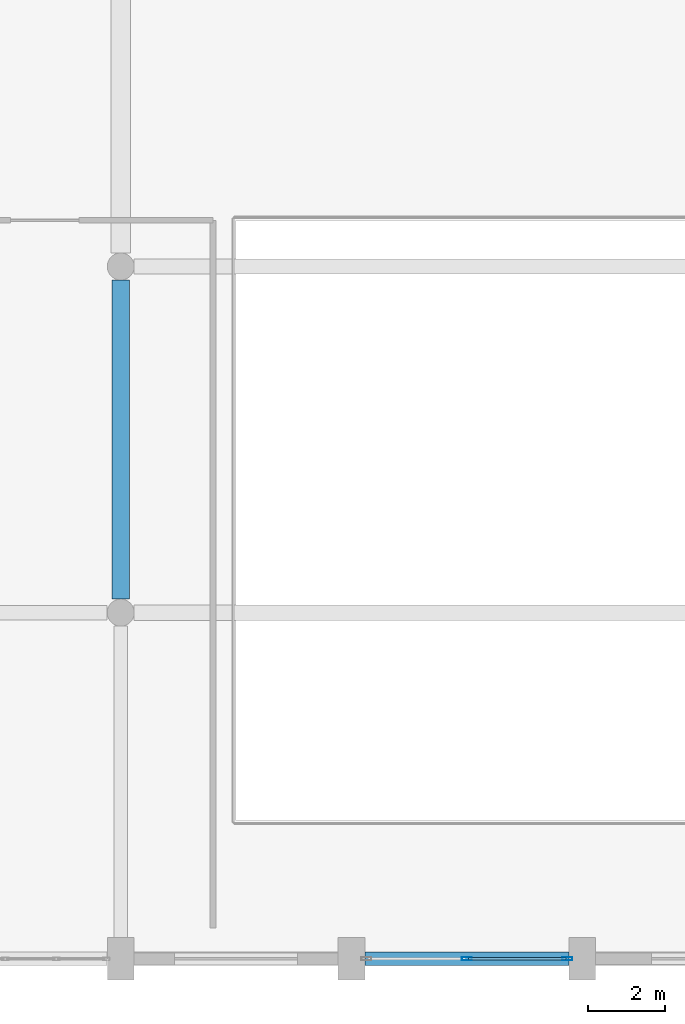
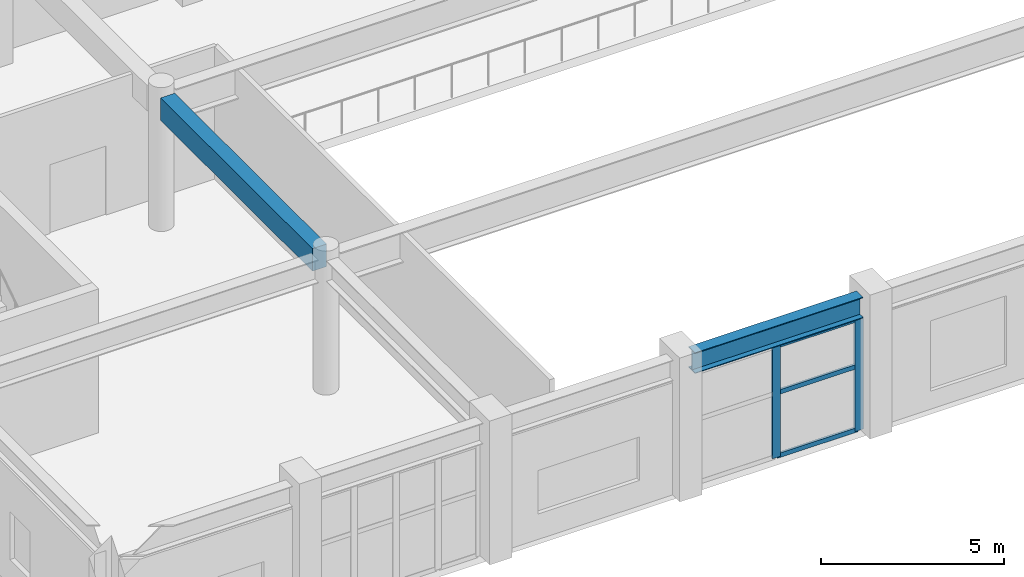
# One storey, part 17 of 85: 5 members, 2 beams, 1 element without a shape of its own.
"""IFC4 building model written with IfcOpenShell, lengths in metres."""

from ifc_helpers import new_model, si_unit, direction, frame, origin, origin_2d, place, context, subcontext, project, spatial, rectangle, hollow_rectangle, i_section, extrude, material, layer, layer_set, material_profile, profile_set, type_object, element, aggregate, save


model = new_model("IFC4")

# Units and contexts
model_context = context("Model", 3, precision=1e-05, world=origin(), true_north=direction((0.0, 1.0)))
body_context = subcontext(model_context, "Body", "Model", "MODEL_VIEW")
ifc_project = project(units=[si_unit("LENGTHUNIT", "METRE"), si_unit("AREAUNIT", "SQUARE_METRE"), si_unit("VOLUMEUNIT", "CUBIC_METRE"), si_unit("PLANEANGLEUNIT", "RADIAN"), si_unit("MASSUNIT", "GRAM", prefix="KILO")], contexts=[model_context])

# Site, building, storey
site_placement = place(None, origin())
site = spatial("IfcSite", under=ifc_project, at=site_placement, CompositionType="ELEMENT")
building_placement = place(site_placement, origin())
building = spatial("IfcBuilding", under=site, at=building_placement, Name="Vaelkrest Opera House", CompositionType="ELEMENT")
storey_placement = place(building_placement, frame((0.0, 0.0, 10.199951171875)))
storey = spatial("IfcBuildingStorey", under=building, at=storey_placement, Name="L02", CompositionType="ELEMENT", Elevation=10.199951171875)

# Beam
ifc_material_1 = material(Name="Concrete C50/60", Category="concrete")
ifc_material_profile_1 = material_profile(ifc_material_1, rectangle(XDim=0.449951171875, YDim=0.75, at=origin_2d()), Name="RCB450X750")
ifc_profile_set_1 = profile_set([ifc_material_profile_1], Name="Concrete C50/60")
beam_type_1 = type_object("IfcBeamType", Name="B02", PredefinedType="BEAM", material=ifc_profile_set_1)
beam_1_placement = place(storey_placement, frame((-18.0, -46.449951171875, 4.130126953125), z_axis=(0.0, 1.0, 0.0), x_axis=(-1.0, 0.0, 0.0)))
element("IfcBeam", 1, at=beam_1_placement, inside=storey, type_object=beam_type_1, Name="Beam BM-V1-L02-0379", PredefinedType="BEAM", context=body_context, shape_type="SweptSolid", body=[
    extrude(rectangle(XDim=0.449951171875, YDim=0.75, at=origin_2d()), origin(), (0.0, 0.0, 1.0), 8.300048828125),
])

# Curtain wall, members
ifc_material_2 = material(Name="Dark bronze anodized aluminium", Category="aluminium")
ifc_layer = layer(ifc_material_2, 0.25)
ifc_layer_set = layer_set([ifc_layer], Name="Dark bronze anodized aluminium")
curtain_wall_type = type_object("IfcCurtainWallType", Name="CW08", PredefinedType="NOTDEFINED", material=ifc_layer_set)
curtain_wall_placement = place(storey_placement, origin())
curtain_wall = element("IfcCurtainWall", 2, at=curtain_wall_placement, inside=storey, type_object=curtain_wall_type, Name="Curtain wall CW-L02-034", PredefinedType="NOTDEFINED")
ifc_material_profile_2 = material_profile(ifc_material_2, hollow_rectangle(XDim=0.080078125, YDim=0.260009765625, WallThickness=0.0048828125, at=origin_2d()), Name="CWM80X260")
ifc_profile_set_2 = profile_set([ifc_material_profile_2], Name="Dark bronze anodized aluminium")
member_type_1 = type_object("IfcMemberType", Name="CWM04", PredefinedType="MULLION", material=ifc_profile_set_2)
member_1_placement = place(storey_placement, frame((-6.387939453125, -55.800048828125, 0.0), z_axis=(0.0, 0.0, 1.0), x_axis=(0.0, -1.0, 0.0)))
member_1 = element("IfcMember", 3, at=member_1_placement, type_object=member_type_1, Name="CW08 mullion 1", PredefinedType="MULLION", context=body_context, shape_type="SweptSolid", body=[
    extrude(hollow_rectangle(XDim=0.080078125, YDim=0.260009765625, WallThickness=0.0048828125, at=origin_2d()), origin(), (0.0, 0.0, 1.0), 3.7451171875),
])
member_2_placement = place(storey_placement, frame((-9.0, -55.800048828125, 0.0), z_axis=(0.0, 0.0, 1.0), x_axis=(0.0, -1.0, 0.0)))
member_2 = element("IfcMember", 4, at=member_2_placement, type_object=member_type_1, Name="CW08 mullion 2", PredefinedType="MULLION", context=body_context, shape_type="SweptSolid", body=[
    extrude(hollow_rectangle(XDim=0.080078125, YDim=0.260009765625, WallThickness=0.0048828125, at=origin_2d()), origin(), (0.0, 0.0, 1.0), 3.7451171875),
])
ifc_material_profile_3 = material_profile(ifc_material_2, hollow_rectangle(XDim=0.070068359375, YDim=0.14990234375, WallThickness=0.004150390625, at=origin_2d()), Name="CWT70X150")
ifc_profile_set_3 = profile_set([ifc_material_profile_3], Name="Dark bronze anodized aluminium")
member_type_2 = type_object("IfcMemberType", Name="CWT02", PredefinedType="USERDEFINED", material=ifc_profile_set_3)
member_3_placement = place(storey_placement, frame((-6.427978515625, -55.800048828125, 0.03515625), z_axis=(-1.0, 0.0, 0.0), x_axis=(0.0, -1.0, 0.0)))
member_3 = element("IfcMember", 5, at=member_3_placement, type_object=member_type_2, Name="CW08 transom 1.1", ObjectType="TRANSOM", PredefinedType="USERDEFINED", context=body_context, shape_type="SweptSolid", body=[
    extrude(hollow_rectangle(XDim=0.070068359375, YDim=0.14990234375, WallThickness=0.004150390625, at=origin_2d()), origin(), (0.0, 0.0, 1.0), 2.531982421875),
])
member_4_placement = place(storey_placement, frame((-6.427978515625, -55.800048828125, 2.150146484375), z_axis=(-1.0, 0.0, 0.0), x_axis=(0.0, -1.0, 0.0)))
member_4 = element("IfcMember", 6, at=member_4_placement, type_object=member_type_2, Name="CW08 transom 1.2", ObjectType="TRANSOM", PredefinedType="USERDEFINED", context=body_context, shape_type="SweptSolid", body=[
    extrude(hollow_rectangle(XDim=0.070068359375, YDim=0.14990234375, WallThickness=0.004150390625, at=origin_2d()), origin(), (0.0, 0.0, 1.0), 2.531982421875),
])
member_5_placement = place(storey_placement, frame((-6.427978515625, -55.800048828125, 3.7099609375), z_axis=(-1.0, 0.0, 0.0), x_axis=(0.0, -1.0, 0.0)))
member_5 = element("IfcMember", 7, at=member_5_placement, type_object=member_type_2, Name="CW08 transom 1.3", ObjectType="TRANSOM", PredefinedType="USERDEFINED", context=body_context, shape_type="SweptSolid", body=[
    extrude(hollow_rectangle(XDim=0.070068359375, YDim=0.14990234375, WallThickness=0.004150390625, at=origin_2d()), origin(), (0.0, 0.0, 1.0), 2.531982421875),
])
aggregate(curtain_wall, [member_1, member_2, member_3, member_4, member_5])

# Beam
ifc_material_3 = material(Name="Steel A992 Gr50", Category="steel")
ifc_material_profile_4 = material_profile(ifc_material_3, i_section(OverallWidth=0.35498046875, OverallDepth=0.695068359375, WebThickness=0.015380859375, FlangeThickness=0.02490234375, at=origin_2d()), Name="W27X146")
ifc_profile_set_4 = profile_set([ifc_material_profile_4], Name="Steel A992 Gr50")
beam_type_2 = type_object("IfcBeamType", Name="SP02", PredefinedType="SPANDREL", material=ifc_profile_set_4)
beam_2_placement = place(storey_placement, frame((-11.64990234375, -55.800048828125, 4.157470703125), z_axis=(1.0, 0.0, 0.0), x_axis=(0.0, 1.0, 0.0)))
element("IfcBeam", 8, at=beam_2_placement, inside=storey, type_object=beam_type_2, Name="Beam BM-V1-L02-0316", PredefinedType="SPANDREL", context=body_context, shape_type="SweptSolid", body=[
    extrude(i_section(OverallWidth=0.35498046875, OverallDepth=0.695068359375, WebThickness=0.015380859375, FlangeThickness=0.02490234375, at=origin_2d()), origin(), (0.0, 0.0, 1.0), 5.2998046875),
])

save(model, "model.ifc")
